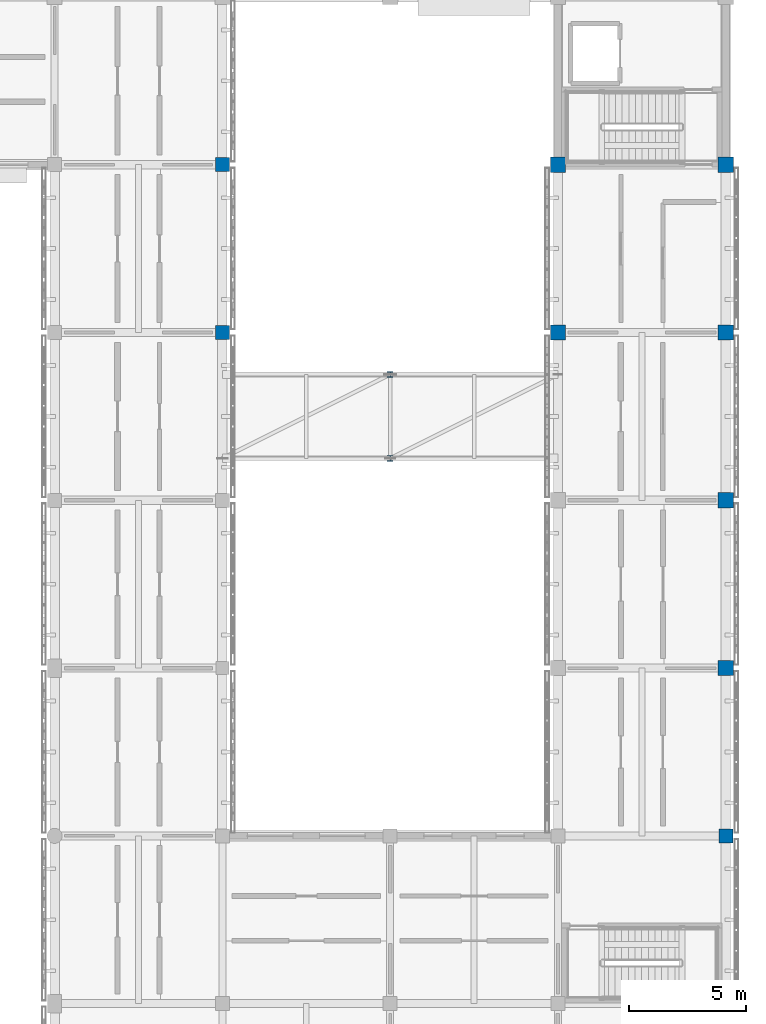
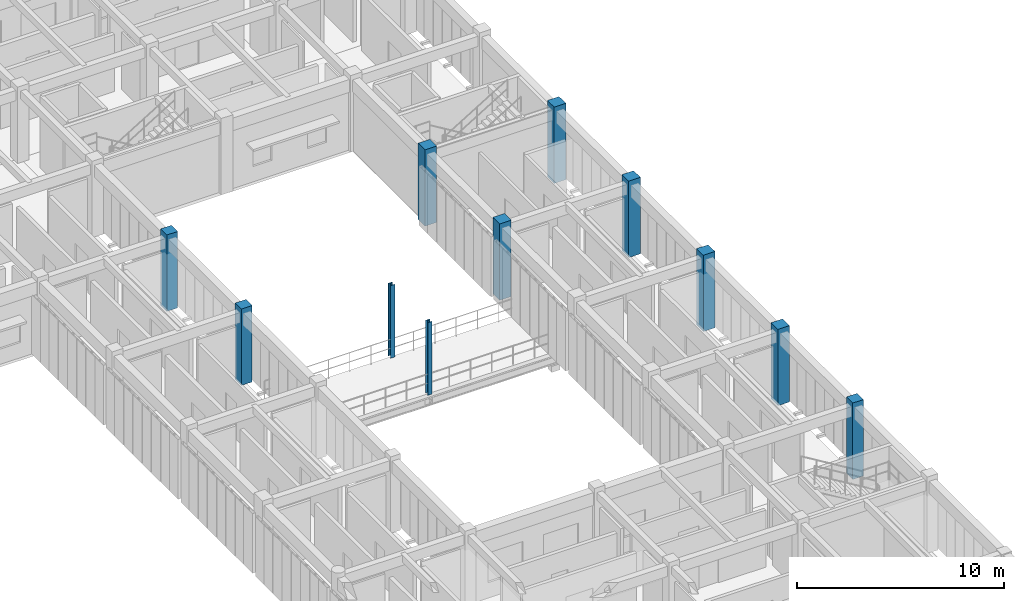
# One storey, part 5 of 171: 11 columns.
"""IFC4 building model written with IfcOpenShell, lengths in metres."""

from ifc_helpers import new_model, si_unit, direction, frame, origin, origin_2d, place, context, subcontext, project, spatial, rectangle, i_section, extrude, material, material_profile, profile_set, type_object, element, save


model = new_model("IFC4")

# Units and contexts
model_context = context("Model", 3, precision=1e-05, world=origin(), true_north=direction((0.0, 1.0)))
body_context = subcontext(model_context, "Body", "Model", "MODEL_VIEW")
ifc_project = project(units=[si_unit("LENGTHUNIT", "METRE"), si_unit("AREAUNIT", "SQUARE_METRE"), si_unit("VOLUMEUNIT", "CUBIC_METRE"), si_unit("PLANEANGLEUNIT", "RADIAN"), si_unit("MASSUNIT", "GRAM", prefix="KILO")], contexts=[model_context])

# Site, building, storey
site_placement = place(None, origin())
site = spatial("IfcSite", under=ifc_project, at=site_placement, CompositionType="ELEMENT")
building_placement = place(site_placement, origin())
building = spatial("IfcBuilding", under=site, at=building_placement, Name="Aldebral Square Health Centre", CompositionType="ELEMENT")
storey_placement = place(building_placement, frame((0.0, 0.0, 4.5)))
storey = spatial("IfcBuildingStorey", under=building, at=storey_placement, Name="L01", CompositionType="ELEMENT", Elevation=4.5)

# Columns
ifc_material_1 = material(Name="Concrete C40/50", Category="concrete")
ifc_material_profile_1 = material_profile(ifc_material_1, rectangle(XDim=0.64990234375, YDim=0.64990234375, at=origin_2d()), Name="RC 650x650")
ifc_profile_set_1 = profile_set([ifc_material_profile_1], Name="Concrete C40/50")
column_type_1 = type_object("IfcColumnType", Name="COL-C2", PredefinedType="COLUMN", material=ifc_profile_set_1)
for number, where, z_axis, x_axis, name in (
    (1, (158.39990234375, 86.39990234375, 0.0), (0.0, 0.0, 1.0), (1.0, 0.0, 0.0), "L01 column 23/13"),
    (2, (158.39990234375, 93.60009765625, 0.0), (0.0, 0.0, 1.0), (1.0, 0.0, 0.0), "L01 column 23/14"),
    (3, (165.60009765625, 72.0, 0.0), (0.0, 0.0, 1.0), (1.0, 0.0, 0.0), "L01 column 24/11"),
    (4, (165.60009765625, 79.199951171875, 0.0), (0.0, 0.0, 1.0), (1.0, 0.0, 0.0), "L01 column 24/12"),
    (5, (165.60009765625, 86.39990234375, 0.0), (0.0, 0.0, 1.0), (1.0, 0.0, 0.0), "L01 column 24/13"),
    (6, (165.60009765625, 93.60009765625, 0.0), (0.0, 0.0, 1.0), (1.0, 0.0, 0.0), "L01 column 24/14"),
):
    element("IfcColumn", number, at=place(storey_placement, frame(where, z_axis=z_axis, x_axis=x_axis)), inside=storey, type_object=column_type_1, Name=name, PredefinedType="COLUMN", context=body_context, shape_type="SweptSolid", body=[
        extrude(rectangle(XDim=0.64990234375, YDim=0.64990234375, at=origin_2d()), origin(), (0.0, 0.0, 1.0), 4.5),
    ])
ifc_material_profile_2 = material_profile(ifc_material_1, rectangle(XDim=0.60009765625, YDim=0.60009765625, at=origin_2d()), Name="RC 600x600")
ifc_profile_set_2 = profile_set([ifc_material_profile_2], Name="Concrete C40/50")
column_type_2 = type_object("IfcColumnType", Name="COL-C3", PredefinedType="COLUMN", material=ifc_profile_set_2)
for number, where, z_axis, x_axis, name in (
    (7, (144.0, 86.39990234375, 0.0), (0.0, 0.0, 1.0), (1.0, 0.0, 0.0), "L01 column 21/13"),
    (8, (144.0, 93.60009765625, 0.0), (0.0, 0.0, 1.0), (1.0, 0.0, 0.0), "L01 column 21/14"),
    (9, (165.60009765625, 64.800048828125, 0.0), (0.0, 0.0, 1.0), (1.0, 0.0, 0.0), "L01 column 24/10"),
):
    element("IfcColumn", number, at=place(storey_placement, frame(where, z_axis=z_axis, x_axis=x_axis)), inside=storey, type_object=column_type_2, Name=name, PredefinedType="COLUMN", context=body_context, shape_type="SweptSolid", body=[
        extrude(rectangle(XDim=0.60009765625, YDim=0.60009765625, at=origin_2d()), origin(), (0.0, 0.0, 1.0), 4.5),
    ])
ifc_material_2 = material(Name="Steel S355JR", Category="steel")
ifc_material_profile_3 = material_profile(ifc_material_2, i_section(OverallWidth=0.239990234375, OverallDepth=0.239990234375, WebThickness=0.010009765625, FlangeThickness=0.01708984375, FilletRadius=0.02099609375, at=origin_2d()), Name="HEB 240")
ifc_profile_set_3 = profile_set([ifc_material_profile_3], Name="Steel S355JR")
column_type_3 = type_object("IfcColumnType", Name="COL-S2", PredefinedType="COLUMN", material=ifc_profile_set_3)
for number, where, z_axis, x_axis, name in (
    (10, (151.199951171875, 81.0, 0.0), (0.0, 0.0, 1.0), (1.0, 0.0, 0.0), "L01 bridge steel column 21-11"),
    (11, (151.199951171875, 84.60009765625, 0.0), (0.0, 0.0, 1.0), (1.0, 0.0, 0.0), "L01 bridge steel column 21-12"),
):
    element("IfcColumn", number, at=place(storey_placement, frame(where, z_axis=z_axis, x_axis=x_axis)), inside=storey, type_object=column_type_3, Name=name, PredefinedType="COLUMN", context=body_context, shape_type="SweptSolid", body=[
        extrude(i_section(OverallWidth=0.239990234375, OverallDepth=0.239990234375, WebThickness=0.010009765625, FlangeThickness=0.01708984375, FilletRadius=0.02099609375, at=origin_2d()), origin(), (0.0, 0.0, 1.0), 4.280029296875),
    ])

save(model, "model.ifc")
